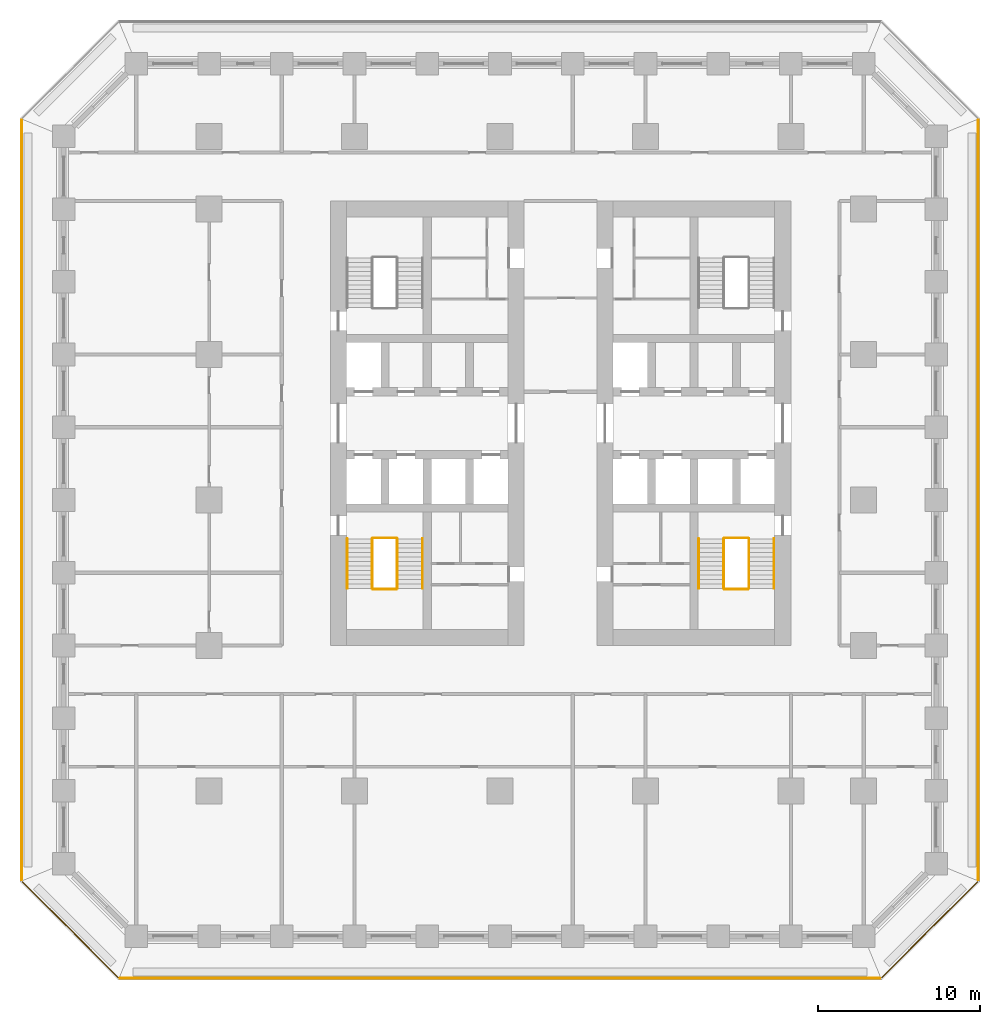
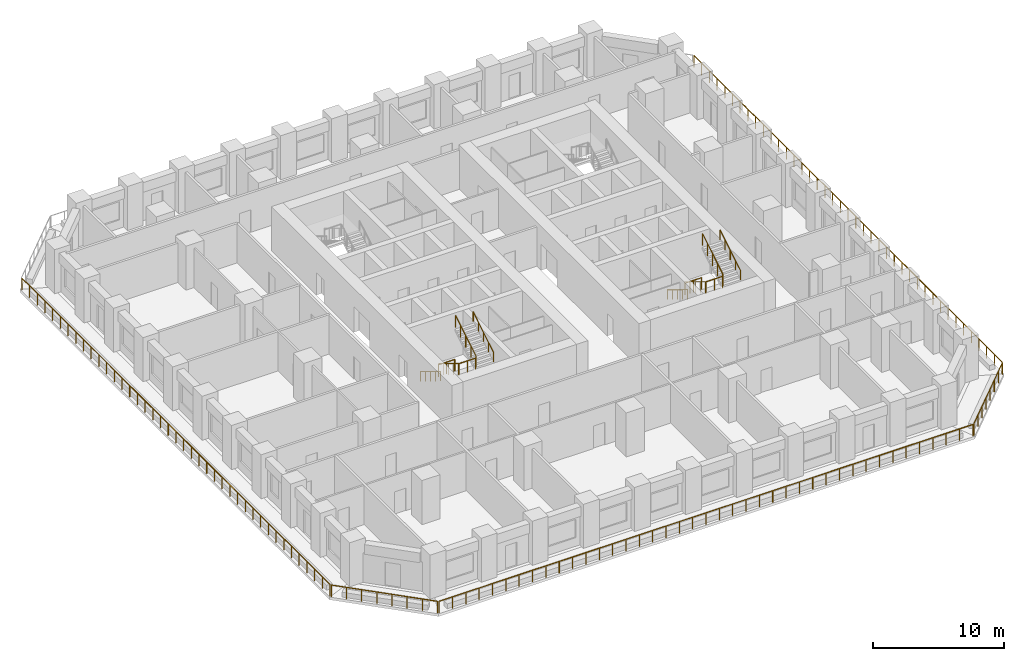
# One storey, part 10 of 12: 17 railings.
"""IFC4 building model written with IfcOpenShell, lengths in metres."""

from ifc_helpers import new_model, si_unit, direction, frame, origin, origin_2d, place, context, subcontext, project, spatial, circle, extrude, material, type_object, element, save


model = new_model("IFC4")

# Units and contexts
model_context = context("Model", 3, precision=1e-05, world=origin(), true_north=direction((0.0, 1.0)))
body_context = subcontext(model_context, "Body", "Model", "MODEL_VIEW")
ifc_project = project(units=[si_unit("LENGTHUNIT", "METRE"), si_unit("AREAUNIT", "SQUARE_METRE"), si_unit("VOLUMEUNIT", "CUBIC_METRE"), si_unit("PLANEANGLEUNIT", "RADIAN"), si_unit("MASSUNIT", "GRAM", prefix="KILO")], contexts=[model_context])

# Site, building, storey
site_placement = place(None, origin())
site = spatial("IfcSite", under=ifc_project, at=site_placement, CompositionType="ELEMENT")
building_placement = place(site_placement, origin())
building = spatial("IfcBuilding", under=site, at=building_placement, Name="Corbel Stack Research Tower", CompositionType="ELEMENT")
storey_placement = place(building_placement, frame((0.0, 0.0, 27.699951171875)))
storey = spatial("IfcBuildingStorey", under=building, at=storey_placement, Name="L06", CompositionType="ELEMENT", Elevation=27.699951171875)

# Railings
ifc_material_1 = material(Name="Steel S355", Category="steel")
railing_type_1 = type_object("IfcRailingType", Name="Stair guard 1100", PredefinedType="GUARDRAIL", material=ifc_material_1)
railing_1_placement = place(storey_placement, frame((-7.89990234375, -2.39990234375, 0.1708984375)))
element("IfcRailing", 1, at=railing_1_placement, inside=storey, type_object=railing_type_1, Name="L06 ST-W1 stair guard 1", PredefinedType="GUARDRAIL", context=body_context, shape_type="SweptSolid", body=[
    extrude(circle(Radius=0.02392578125, at=origin_2d()), frame((0.0, 0.0, 1.076171875), z_axis=(0.0, -0.853666305674, 0.52082035152), x_axis=(1.0, 0.0, 0.0)), (0.0, 0.0, 1.0), 3.608154296875),
    extrude(circle(Radius=0.02099609375, at=origin_2d()), origin(), (0.0, 0.0, 1.0), 1.052001953125),
    extrude(circle(Radius=0.02099609375, at=origin_2d()), frame((0.0, -0.77001953125, 0.4697265625)), (0.0, 0.0, 1.0), 1.052001953125),
    extrude(circle(Radius=0.02099609375, at=origin_2d()), frame((0.0, -1.5400390625, 0.939453125)), (0.0, 0.0, 1.0), 1.052001953125),
    extrude(circle(Radius=0.02099609375, at=origin_2d()), frame((0.0, -2.31005859375, 1.409423828125)), (0.0, 0.0, 1.0), 1.052001953125),
    extrude(circle(Radius=0.02099609375, at=origin_2d()), frame((0.0, -3.080078125, 1.879150390625)), (0.0, 0.0, 1.0), 1.052001953125),
])
railing_2_placement = place(storey_placement, frame((-7.85009765625, -5.530029296875, 2.050048828125)))
element("IfcRailing", 2, at=railing_2_placement, inside=storey, type_object=railing_type_1, Name="L06 ST-W1 stair guard 2", PredefinedType="GUARDRAIL", context=body_context, shape_type="SweptSolid", body=[
    extrude(circle(Radius=0.02392578125, at=origin_2d()), frame((0.0, 0.0, 1.076171875), z_axis=(1.0, 0.0, 0.0), x_axis=(0.0, 1.0, 0.0)), (0.0, 0.0, 1.0), 1.4501953125),
    extrude(circle(Radius=0.02099609375, at=origin_2d()), origin(), (0.0, 0.0, 1.0), 1.052001953125),
    extrude(circle(Radius=0.02099609375, at=origin_2d()), frame((0.72509765625, 0.0, 0.0)), (0.0, 0.0, 1.0), 1.052001953125),
    extrude(circle(Radius=0.02099609375, at=origin_2d()), frame((1.4501953125, 0.0, 0.0)), (0.0, 0.0, 1.0), 1.052001953125),
])
railing_3_placement = place(storey_placement, frame((-6.35009765625, -5.47998046875, 2.220947265625)))
element("IfcRailing", 3, at=railing_3_placement, inside=storey, type_object=railing_type_1, Name="L06 ST-W1 stair guard 3", PredefinedType="GUARDRAIL", context=body_context, shape_type="SweptSolid", body=[
    extrude(circle(Radius=0.02392578125, at=origin_2d()), frame((0.0, 0.0, 1.076171875), z_axis=(0.0, 0.853666305674, 0.52082035152), x_axis=(-1.0, 0.0, 0.0)), (0.0, 0.0, 1.0), 3.608154296875),
    extrude(circle(Radius=0.02099609375, at=origin_2d()), origin(), (0.0, 0.0, 1.0), 1.052001953125),
    extrude(circle(Radius=0.02099609375, at=origin_2d()), frame((0.0, 0.77001953125, 0.4697265625)), (0.0, 0.0, 1.0), 1.052001953125),
    extrude(circle(Radius=0.02099609375, at=origin_2d()), frame((0.0, 1.5400390625, 0.939453125)), (0.0, 0.0, 1.0), 1.052001953125),
    extrude(circle(Radius=0.02099609375, at=origin_2d()), frame((0.0, 2.31005859375, 1.409423828125)), (0.0, 0.0, 1.0), 1.052001953125),
    extrude(circle(Radius=0.02099609375, at=origin_2d()), frame((0.0, 3.080078125, 1.879150390625)), (0.0, 0.0, 1.0), 1.052001953125),
])
railing_4_placement = place(storey_placement, frame((-7.85009765625, -2.35009765625, 0.0)))
element("IfcRailing", 4, at=railing_4_placement, inside=storey, type_object=railing_type_1, Name="L06 ST-W1 stair guard 4", PredefinedType="GUARDRAIL", context=body_context, shape_type="SweptSolid", body=[
    extrude(circle(Radius=0.02392578125, at=origin_2d()), frame((0.0, 0.0, 1.076171875), z_axis=(1.0, 0.0, 0.0), x_axis=(0.0, 1.0, 0.0)), (0.0, 0.0, 1.0), 1.4501953125),
    extrude(circle(Radius=0.02099609375, at=origin_2d()), origin(), (0.0, 0.0, 1.0), 1.052001953125),
    extrude(circle(Radius=0.02099609375, at=origin_2d()), frame((0.72509765625, 0.0, 0.0)), (0.0, 0.0, 1.0), 1.052001953125),
    extrude(circle(Radius=0.02099609375, at=origin_2d()), frame((1.4501953125, 0.0, 0.0)), (0.0, 0.0, 1.0), 1.052001953125),
])
railing_5_placement = place(storey_placement, frame((13.85009765625, -2.39990234375, 0.1708984375)))
element("IfcRailing", 5, at=railing_5_placement, inside=storey, type_object=railing_type_1, Name="L06 ST-E1 stair guard 1", PredefinedType="GUARDRAIL", context=body_context, shape_type="SweptSolid", body=[
    extrude(circle(Radius=0.02392578125, at=origin_2d()), frame((0.0, 0.0, 1.076171875), z_axis=(0.0, -0.853666305674, 0.52082035152), x_axis=(1.0, 0.0, 0.0)), (0.0, 0.0, 1.0), 3.608154296875),
    extrude(circle(Radius=0.02099609375, at=origin_2d()), origin(), (0.0, 0.0, 1.0), 1.052001953125),
    extrude(circle(Radius=0.02099609375, at=origin_2d()), frame((0.0, -0.77001953125, 0.4697265625)), (0.0, 0.0, 1.0), 1.052001953125),
    extrude(circle(Radius=0.02099609375, at=origin_2d()), frame((0.0, -1.5400390625, 0.939453125)), (0.0, 0.0, 1.0), 1.052001953125),
    extrude(circle(Radius=0.02099609375, at=origin_2d()), frame((0.0, -2.31005859375, 1.409423828125)), (0.0, 0.0, 1.0), 1.052001953125),
    extrude(circle(Radius=0.02099609375, at=origin_2d()), frame((0.0, -3.080078125, 1.879150390625)), (0.0, 0.0, 1.0), 1.052001953125),
])
railing_6_placement = place(storey_placement, frame((13.89990234375, -5.530029296875, 2.050048828125)))
element("IfcRailing", 6, at=railing_6_placement, inside=storey, type_object=railing_type_1, Name="L06 ST-E1 stair guard 2", PredefinedType="GUARDRAIL", context=body_context, shape_type="SweptSolid", body=[
    extrude(circle(Radius=0.02392578125, at=origin_2d()), frame((0.0, 0.0, 1.076171875), z_axis=(1.0, 0.0, 0.0), x_axis=(0.0, 1.0, 0.0)), (0.0, 0.0, 1.0), 1.4501953125),
    extrude(circle(Radius=0.02099609375, at=origin_2d()), origin(), (0.0, 0.0, 1.0), 1.052001953125),
    extrude(circle(Radius=0.02099609375, at=origin_2d()), frame((0.72509765625, 0.0, 0.0)), (0.0, 0.0, 1.0), 1.052001953125),
    extrude(circle(Radius=0.02099609375, at=origin_2d()), frame((1.4501953125, 0.0, 0.0)), (0.0, 0.0, 1.0), 1.052001953125),
])
railing_7_placement = place(storey_placement, frame((15.39990234375, -5.47998046875, 2.220947265625)))
element("IfcRailing", 7, at=railing_7_placement, inside=storey, type_object=railing_type_1, Name="L06 ST-E1 stair guard 3", PredefinedType="GUARDRAIL", context=body_context, shape_type="SweptSolid", body=[
    extrude(circle(Radius=0.02392578125, at=origin_2d()), frame((0.0, 0.0, 1.076171875), z_axis=(0.0, 0.853666305674, 0.52082035152), x_axis=(-1.0, 0.0, 0.0)), (0.0, 0.0, 1.0), 3.608154296875),
    extrude(circle(Radius=0.02099609375, at=origin_2d()), origin(), (0.0, 0.0, 1.0), 1.052001953125),
    extrude(circle(Radius=0.02099609375, at=origin_2d()), frame((0.0, 0.77001953125, 0.4697265625)), (0.0, 0.0, 1.0), 1.052001953125),
    extrude(circle(Radius=0.02099609375, at=origin_2d()), frame((0.0, 1.5400390625, 0.939453125)), (0.0, 0.0, 1.0), 1.052001953125),
    extrude(circle(Radius=0.02099609375, at=origin_2d()), frame((0.0, 2.31005859375, 1.409423828125)), (0.0, 0.0, 1.0), 1.052001953125),
    extrude(circle(Radius=0.02099609375, at=origin_2d()), frame((0.0, 3.080078125, 1.879150390625)), (0.0, 0.0, 1.0), 1.052001953125),
])
railing_8_placement = place(storey_placement, frame((13.89990234375, -2.35009765625, 0.0)))
element("IfcRailing", 8, at=railing_8_placement, inside=storey, type_object=railing_type_1, Name="L06 ST-E1 stair guard 4", PredefinedType="GUARDRAIL", context=body_context, shape_type="SweptSolid", body=[
    extrude(circle(Radius=0.02392578125, at=origin_2d()), frame((0.0, 0.0, 1.076171875), z_axis=(1.0, 0.0, 0.0), x_axis=(0.0, 1.0, 0.0)), (0.0, 0.0, 1.0), 1.4501953125),
    extrude(circle(Radius=0.02099609375, at=origin_2d()), origin(), (0.0, 0.0, 1.0), 1.052001953125),
    extrude(circle(Radius=0.02099609375, at=origin_2d()), frame((0.72509765625, 0.0, 0.0)), (0.0, 0.0, 1.0), 1.052001953125),
    extrude(circle(Radius=0.02099609375, at=origin_2d()), frame((1.4501953125, 0.0, 0.0)), (0.0, 0.0, 1.0), 1.052001953125),
])
ifc_material_2 = material(Name="Steel S355", Category="steel")
railing_type_2 = type_object("IfcRailingType", Name="Stair handrail 900", PredefinedType="HANDRAIL", material=ifc_material_2)
railing_9_placement = place(storey_placement, frame((-9.449951171875, -2.39990234375, 0.1708984375)))
element("IfcRailing", 9, at=railing_9_placement, inside=storey, type_object=railing_type_2, Name="L06 ST-W1 stair handrail 1", PredefinedType="HANDRAIL", context=body_context, shape_type="SweptSolid", body=[
    extrude(circle(Radius=0.02392578125, at=origin_2d()), frame((0.0, 0.0, 0.8759765625), z_axis=(0.0, -0.853666305674, 0.52082035152), x_axis=(1.0, 0.0, 0.0)), (0.0, 0.0, 1.0), 3.608154296875),
    extrude(circle(Radius=0.02099609375, at=origin_2d()), origin(), (0.0, 0.0, 1.0), 0.851806640625),
    extrude(circle(Radius=0.02099609375, at=origin_2d()), frame((0.0, -0.77001953125, 0.4697265625)), (0.0, 0.0, 1.0), 0.851806640625),
    extrude(circle(Radius=0.02099609375, at=origin_2d()), frame((0.0, -1.5400390625, 0.939453125)), (0.0, 0.0, 1.0), 0.851806640625),
    extrude(circle(Radius=0.02099609375, at=origin_2d()), frame((0.0, -2.31005859375, 1.409423828125)), (0.0, 0.0, 1.0), 0.851806640625),
    extrude(circle(Radius=0.02099609375, at=origin_2d()), frame((0.0, -3.080078125, 1.879150390625)), (0.0, 0.0, 1.0), 0.851806640625),
])
railing_10_placement = place(storey_placement, frame((-4.800048828125, -5.47998046875, 2.220947265625)))
element("IfcRailing", 10, at=railing_10_placement, inside=storey, type_object=railing_type_2, Name="L06 ST-W1 stair handrail 2", PredefinedType="HANDRAIL", context=body_context, shape_type="SweptSolid", body=[
    extrude(circle(Radius=0.02392578125, at=origin_2d()), frame((0.0, 0.0, 0.8759765625), z_axis=(0.0, 0.853666305674, 0.52082035152), x_axis=(-1.0, 0.0, 0.0)), (0.0, 0.0, 1.0), 3.608154296875),
    extrude(circle(Radius=0.02099609375, at=origin_2d()), origin(), (0.0, 0.0, 1.0), 0.851806640625),
    extrude(circle(Radius=0.02099609375, at=origin_2d()), frame((0.0, 0.77001953125, 0.4697265625)), (0.0, 0.0, 1.0), 0.851806640625),
    extrude(circle(Radius=0.02099609375, at=origin_2d()), frame((0.0, 1.5400390625, 0.939453125)), (0.0, 0.0, 1.0), 0.851806640625),
    extrude(circle(Radius=0.02099609375, at=origin_2d()), frame((0.0, 2.31005859375, 1.409423828125)), (0.0, 0.0, 1.0), 0.851806640625),
    extrude(circle(Radius=0.02099609375, at=origin_2d()), frame((0.0, 3.080078125, 1.879150390625)), (0.0, 0.0, 1.0), 0.851806640625),
])
railing_11_placement = place(storey_placement, frame((12.300048828125, -2.39990234375, 0.1708984375)))
element("IfcRailing", 11, at=railing_11_placement, inside=storey, type_object=railing_type_2, Name="L06 ST-E1 stair handrail 1", PredefinedType="HANDRAIL", context=body_context, shape_type="SweptSolid", body=[
    extrude(circle(Radius=0.02392578125, at=origin_2d()), frame((0.0, 0.0, 0.8759765625), z_axis=(0.0, -0.853666305674, 0.52082035152), x_axis=(1.0, 0.0, 0.0)), (0.0, 0.0, 1.0), 3.608154296875),
    extrude(circle(Radius=0.02099609375, at=origin_2d()), origin(), (0.0, 0.0, 1.0), 0.851806640625),
    extrude(circle(Radius=0.02099609375, at=origin_2d()), frame((0.0, -0.77001953125, 0.4697265625)), (0.0, 0.0, 1.0), 0.851806640625),
    extrude(circle(Radius=0.02099609375, at=origin_2d()), frame((0.0, -1.5400390625, 0.939453125)), (0.0, 0.0, 1.0), 0.851806640625),
    extrude(circle(Radius=0.02099609375, at=origin_2d()), frame((0.0, -2.31005859375, 1.409423828125)), (0.0, 0.0, 1.0), 0.851806640625),
    extrude(circle(Radius=0.02099609375, at=origin_2d()), frame((0.0, -3.080078125, 1.879150390625)), (0.0, 0.0, 1.0), 0.851806640625),
])
railing_12_placement = place(storey_placement, frame((16.949951171875, -5.47998046875, 2.220947265625)))
element("IfcRailing", 12, at=railing_12_placement, inside=storey, type_object=railing_type_2, Name="L06 ST-E1 stair handrail 2", PredefinedType="HANDRAIL", context=body_context, shape_type="SweptSolid", body=[
    extrude(circle(Radius=0.02392578125, at=origin_2d()), frame((0.0, 0.0, 0.8759765625), z_axis=(0.0, 0.853666305674, 0.52082035152), x_axis=(-1.0, 0.0, 0.0)), (0.0, 0.0, 1.0), 3.608154296875),
    extrude(circle(Radius=0.02099609375, at=origin_2d()), origin(), (0.0, 0.0, 1.0), 0.851806640625),
    extrude(circle(Radius=0.02099609375, at=origin_2d()), frame((0.0, 0.77001953125, 0.4697265625)), (0.0, 0.0, 1.0), 0.851806640625),
    extrude(circle(Radius=0.02099609375, at=origin_2d()), frame((0.0, 1.5400390625, 0.939453125)), (0.0, 0.0, 1.0), 0.851806640625),
    extrude(circle(Radius=0.02099609375, at=origin_2d()), frame((0.0, 2.31005859375, 1.409423828125)), (0.0, 0.0, 1.0), 0.851806640625),
    extrude(circle(Radius=0.02099609375, at=origin_2d()), frame((0.0, 3.080078125, 1.879150390625)), (0.0, 0.0, 1.0), 0.851806640625),
])
ifc_material_3 = material(Name="Powder-coated steel guard", Category="steel")
railing_type_3 = type_object("IfcRailingType", Name="Steel and glass guard 1100", PredefinedType="GUARDRAIL", material=ifc_material_3)
railing_13_placement = place(storey_placement, frame((-23.50537109375, -29.60009765625, 0.0)))
element("IfcRailing", 13, at=railing_13_placement, inside=storey, type_object=railing_type_3, Name="Loggia guard L06 S", PredefinedType="GUARDRAIL", context=body_context, shape_type="SweptSolid", body=[
    extrude(circle(Radius=0.02392578125, at=origin_2d()), frame((0.0, 0.0, 1.076171875), z_axis=(1.0, 0.0, 0.0), x_axis=(0.0, 1.0, 0.0)), (0.0, 0.0, 1.0), 47.0107421875),
    extrude(circle(Radius=0.02099609375, at=origin_2d()), origin(), (0.0, 0.0, 1.0), 1.052001953125),
    extrude(circle(Radius=0.02099609375, at=origin_2d()), frame((1.17529296875, 0.0, 0.0)), (0.0, 0.0, 1.0), 1.052001953125),
    extrude(circle(Radius=0.02099609375, at=origin_2d()), frame((2.3505859375, 0.0, 0.0)), (0.0, 0.0, 1.0), 1.052001953125),
    extrude(circle(Radius=0.02099609375, at=origin_2d()), frame((3.52587890625, 0.0, 0.0)), (0.0, 0.0, 1.0), 1.052001953125),
    extrude(circle(Radius=0.02099609375, at=origin_2d()), frame((4.701171875, 0.0, 0.0)), (0.0, 0.0, 1.0), 1.052001953125),
    extrude(circle(Radius=0.02099609375, at=origin_2d()), frame((5.87646484375, 0.0, 0.0)), (0.0, 0.0, 1.0), 1.052001953125),
    extrude(circle(Radius=0.02099609375, at=origin_2d()), frame((7.051513671875, 0.0, 0.0)), (0.0, 0.0, 1.0), 1.052001953125),
    extrude(circle(Radius=0.02099609375, at=origin_2d()), frame((8.226806640625, 0.0, 0.0)), (0.0, 0.0, 1.0), 1.052001953125),
    extrude(circle(Radius=0.02099609375, at=origin_2d()), frame((9.402099609375, 0.0, 0.0)), (0.0, 0.0, 1.0), 1.052001953125),
    extrude(circle(Radius=0.02099609375, at=origin_2d()), frame((10.577392578125, 0.0, 0.0)), (0.0, 0.0, 1.0), 1.052001953125),
    extrude(circle(Radius=0.02099609375, at=origin_2d()), frame((11.752685546875, 0.0, 0.0)), (0.0, 0.0, 1.0), 1.052001953125),
    extrude(circle(Radius=0.02099609375, at=origin_2d()), frame((12.927978515625, 0.0, 0.0)), (0.0, 0.0, 1.0), 1.052001953125),
    extrude(circle(Radius=0.02099609375, at=origin_2d()), frame((14.103271484375, 0.0, 0.0)), (0.0, 0.0, 1.0), 1.052001953125),
    extrude(circle(Radius=0.02099609375, at=origin_2d()), frame((15.278564453125, 0.0, 0.0)), (0.0, 0.0, 1.0), 1.052001953125),
    extrude(circle(Radius=0.02099609375, at=origin_2d()), frame((16.453857421875, 0.0, 0.0)), (0.0, 0.0, 1.0), 1.052001953125),
    extrude(circle(Radius=0.02099609375, at=origin_2d()), frame((17.62890625, 0.0, 0.0)), (0.0, 0.0, 1.0), 1.052001953125),
    extrude(circle(Radius=0.02099609375, at=origin_2d()), frame((18.80419921875, 0.0, 0.0)), (0.0, 0.0, 1.0), 1.052001953125),
    extrude(circle(Radius=0.02099609375, at=origin_2d()), frame((19.9794921875, 0.0, 0.0)), (0.0, 0.0, 1.0), 1.052001953125),
    extrude(circle(Radius=0.02099609375, at=origin_2d()), frame((21.15478515625, 0.0, 0.0)), (0.0, 0.0, 1.0), 1.052001953125),
    extrude(circle(Radius=0.02099609375, at=origin_2d()), frame((22.330078125, 0.0, 0.0)), (0.0, 0.0, 1.0), 1.052001953125),
    extrude(circle(Radius=0.02099609375, at=origin_2d()), frame((23.50537109375, 0.0, 0.0)), (0.0, 0.0, 1.0), 1.052001953125),
    extrude(circle(Radius=0.02099609375, at=origin_2d()), frame((24.6806640625, 0.0, 0.0)), (0.0, 0.0, 1.0), 1.052001953125),
    extrude(circle(Radius=0.02099609375, at=origin_2d()), frame((25.85595703125, 0.0, 0.0)), (0.0, 0.0, 1.0), 1.052001953125),
    extrude(circle(Radius=0.02099609375, at=origin_2d()), frame((27.03125, 0.0, 0.0)), (0.0, 0.0, 1.0), 1.052001953125),
    extrude(circle(Radius=0.02099609375, at=origin_2d()), frame((28.20654296875, 0.0, 0.0)), (0.0, 0.0, 1.0), 1.052001953125),
    extrude(circle(Radius=0.02099609375, at=origin_2d()), frame((29.3818359375, 0.0, 0.0)), (0.0, 0.0, 1.0), 1.052001953125),
    extrude(circle(Radius=0.02099609375, at=origin_2d()), frame((30.556884765625, 0.0, 0.0)), (0.0, 0.0, 1.0), 1.052001953125),
    extrude(circle(Radius=0.02099609375, at=origin_2d()), frame((31.732177734375, 0.0, 0.0)), (0.0, 0.0, 1.0), 1.052001953125),
    extrude(circle(Radius=0.02099609375, at=origin_2d()), frame((32.907470703125, 0.0, 0.0)), (0.0, 0.0, 1.0), 1.052001953125),
    extrude(circle(Radius=0.02099609375, at=origin_2d()), frame((34.082763671875, 0.0, 0.0)), (0.0, 0.0, 1.0), 1.052001953125),
    extrude(circle(Radius=0.02099609375, at=origin_2d()), frame((35.258056640625, 0.0, 0.0)), (0.0, 0.0, 1.0), 1.052001953125),
    extrude(circle(Radius=0.02099609375, at=origin_2d()), frame((36.433349609375, 0.0, 0.0)), (0.0, 0.0, 1.0), 1.052001953125),
    extrude(circle(Radius=0.02099609375, at=origin_2d()), frame((37.608642578125, 0.0, 0.0)), (0.0, 0.0, 1.0), 1.052001953125),
    extrude(circle(Radius=0.02099609375, at=origin_2d()), frame((38.783935546875, 0.0, 0.0)), (0.0, 0.0, 1.0), 1.052001953125),
    extrude(circle(Radius=0.02099609375, at=origin_2d()), frame((39.959228515625, 0.0, 0.0)), (0.0, 0.0, 1.0), 1.052001953125),
    extrude(circle(Radius=0.02099609375, at=origin_2d()), frame((41.13427734375, 0.0, 0.0)), (0.0, 0.0, 1.0), 1.052001953125),
    extrude(circle(Radius=0.02099609375, at=origin_2d()), frame((42.3095703125, 0.0, 0.0)), (0.0, 0.0, 1.0), 1.052001953125),
    extrude(circle(Radius=0.02099609375, at=origin_2d()), frame((43.48486328125, 0.0, 0.0)), (0.0, 0.0, 1.0), 1.052001953125),
    extrude(circle(Radius=0.02099609375, at=origin_2d()), frame((44.66015625, 0.0, 0.0)), (0.0, 0.0, 1.0), 1.052001953125),
    extrude(circle(Radius=0.02099609375, at=origin_2d()), frame((45.83544921875, 0.0, 0.0)), (0.0, 0.0, 1.0), 1.052001953125),
    extrude(circle(Radius=0.02099609375, at=origin_2d()), frame((47.0107421875, 0.0, 0.0)), (0.0, 0.0, 1.0), 1.052001953125),
])
railing_14_placement = place(storey_placement, frame((23.627685546875, -29.54931640625, 0.0)))
element("IfcRailing", 14, at=railing_14_placement, inside=storey, type_object=railing_type_3, Name="Loggia guard L06 SE", PredefinedType="GUARDRAIL", context=body_context, shape_type="SweptSolid", body=[
    extrude(circle(Radius=0.02392578125, at=origin_2d()), frame((0.0, 0.0, 1.076171875), z_axis=(0.707106781187, 0.707106781187, 0.0), x_axis=(-0.707106781187, 0.707106781187, 0.0)), (0.0, 0.0, 1.0), 8.37451171875),
    extrude(circle(Radius=0.02099609375, at=origin_2d()), origin(), (0.0, 0.0, 1.0), 1.052001953125),
    extrude(circle(Radius=0.02099609375, at=origin_2d()), frame((0.845947265625, 0.845947265625, 0.0)), (0.0, 0.0, 1.0), 1.052001953125),
    extrude(circle(Radius=0.02099609375, at=origin_2d()), frame((1.69189453125, 1.69189453125, 0.0)), (0.0, 0.0, 1.0), 1.052001953125),
    extrude(circle(Radius=0.02099609375, at=origin_2d()), frame((2.537841796875, 2.537841796875, 0.0)), (0.0, 0.0, 1.0), 1.052001953125),
    extrude(circle(Radius=0.02099609375, at=origin_2d()), frame((3.3837890625, 3.3837890625, 0.0)), (0.0, 0.0, 1.0), 1.052001953125),
    extrude(circle(Radius=0.02099609375, at=origin_2d()), frame((4.229736328125, 4.229736328125, 0.0)), (0.0, 0.0, 1.0), 1.052001953125),
    extrude(circle(Radius=0.02099609375, at=origin_2d()), frame((5.07568359375, 5.07568359375, 0.0)), (0.0, 0.0, 1.0), 1.052001953125),
    extrude(circle(Radius=0.02099609375, at=origin_2d()), frame((5.921630859375, 5.921630859375, 0.0)), (0.0, 0.0, 1.0), 1.052001953125),
])
railing_15_placement = place(storey_placement, frame((29.60009765625, -23.50537109375, 0.0)))
element("IfcRailing", 15, at=railing_15_placement, inside=storey, type_object=railing_type_3, Name="Loggia guard L06 E", PredefinedType="GUARDRAIL", context=body_context, shape_type="SweptSolid", body=[
    extrude(circle(Radius=0.02392578125, at=origin_2d()), frame((0.0, 0.0, 1.076171875), z_axis=(0.0, 1.0, 0.0), x_axis=(-1.0, 0.0, 0.0)), (0.0, 0.0, 1.0), 47.0107421875),
    extrude(circle(Radius=0.02099609375, at=origin_2d()), origin(), (0.0, 0.0, 1.0), 1.052001953125),
    extrude(circle(Radius=0.02099609375, at=origin_2d()), frame((0.0, 1.17529296875, 0.0)), (0.0, 0.0, 1.0), 1.052001953125),
    extrude(circle(Radius=0.02099609375, at=origin_2d()), frame((0.0, 2.3505859375, 0.0)), (0.0, 0.0, 1.0), 1.052001953125),
    extrude(circle(Radius=0.02099609375, at=origin_2d()), frame((0.0, 3.52587890625, 0.0)), (0.0, 0.0, 1.0), 1.052001953125),
    extrude(circle(Radius=0.02099609375, at=origin_2d()), frame((0.0, 4.701171875, 0.0)), (0.0, 0.0, 1.0), 1.052001953125),
    extrude(circle(Radius=0.02099609375, at=origin_2d()), frame((0.0, 5.87646484375, 0.0)), (0.0, 0.0, 1.0), 1.052001953125),
    extrude(circle(Radius=0.02099609375, at=origin_2d()), frame((0.0, 7.051513671875, 0.0)), (0.0, 0.0, 1.0), 1.052001953125),
    extrude(circle(Radius=0.02099609375, at=origin_2d()), frame((0.0, 8.226806640625, 0.0)), (0.0, 0.0, 1.0), 1.052001953125),
    extrude(circle(Radius=0.02099609375, at=origin_2d()), frame((0.0, 9.402099609375, 0.0)), (0.0, 0.0, 1.0), 1.052001953125),
    extrude(circle(Radius=0.02099609375, at=origin_2d()), frame((0.0, 10.577392578125, 0.0)), (0.0, 0.0, 1.0), 1.052001953125),
    extrude(circle(Radius=0.02099609375, at=origin_2d()), frame((0.0, 11.752685546875, 0.0)), (0.0, 0.0, 1.0), 1.052001953125),
    extrude(circle(Radius=0.02099609375, at=origin_2d()), frame((0.0, 12.927978515625, 0.0)), (0.0, 0.0, 1.0), 1.052001953125),
    extrude(circle(Radius=0.02099609375, at=origin_2d()), frame((0.0, 14.103271484375, 0.0)), (0.0, 0.0, 1.0), 1.052001953125),
    extrude(circle(Radius=0.02099609375, at=origin_2d()), frame((0.0, 15.278564453125, 0.0)), (0.0, 0.0, 1.0), 1.052001953125),
    extrude(circle(Radius=0.02099609375, at=origin_2d()), frame((0.0, 16.453857421875, 0.0)), (0.0, 0.0, 1.0), 1.052001953125),
    extrude(circle(Radius=0.02099609375, at=origin_2d()), frame((0.0, 17.62890625, 0.0)), (0.0, 0.0, 1.0), 1.052001953125),
    extrude(circle(Radius=0.02099609375, at=origin_2d()), frame((0.0, 18.80419921875, 0.0)), (0.0, 0.0, 1.0), 1.052001953125),
    extrude(circle(Radius=0.02099609375, at=origin_2d()), frame((0.0, 19.9794921875, 0.0)), (0.0, 0.0, 1.0), 1.052001953125),
    extrude(circle(Radius=0.02099609375, at=origin_2d()), frame((0.0, 21.15478515625, 0.0)), (0.0, 0.0, 1.0), 1.052001953125),
    extrude(circle(Radius=0.02099609375, at=origin_2d()), frame((0.0, 22.330078125, 0.0)), (0.0, 0.0, 1.0), 1.052001953125),
    extrude(circle(Radius=0.02099609375, at=origin_2d()), frame((0.0, 23.50537109375, 0.0)), (0.0, 0.0, 1.0), 1.052001953125),
    extrude(circle(Radius=0.02099609375, at=origin_2d()), frame((0.0, 24.6806640625, 0.0)), (0.0, 0.0, 1.0), 1.052001953125),
    extrude(circle(Radius=0.02099609375, at=origin_2d()), frame((0.0, 25.85595703125, 0.0)), (0.0, 0.0, 1.0), 1.052001953125),
    extrude(circle(Radius=0.02099609375, at=origin_2d()), frame((0.0, 27.03125, 0.0)), (0.0, 0.0, 1.0), 1.052001953125),
    extrude(circle(Radius=0.02099609375, at=origin_2d()), frame((0.0, 28.20654296875, 0.0)), (0.0, 0.0, 1.0), 1.052001953125),
    extrude(circle(Radius=0.02099609375, at=origin_2d()), frame((0.0, 29.3818359375, 0.0)), (0.0, 0.0, 1.0), 1.052001953125),
    extrude(circle(Radius=0.02099609375, at=origin_2d()), frame((0.0, 30.556884765625, 0.0)), (0.0, 0.0, 1.0), 1.052001953125),
    extrude(circle(Radius=0.02099609375, at=origin_2d()), frame((0.0, 31.732177734375, 0.0)), (0.0, 0.0, 1.0), 1.052001953125),
    extrude(circle(Radius=0.02099609375, at=origin_2d()), frame((0.0, 32.907470703125, 0.0)), (0.0, 0.0, 1.0), 1.052001953125),
    extrude(circle(Radius=0.02099609375, at=origin_2d()), frame((0.0, 34.082763671875, 0.0)), (0.0, 0.0, 1.0), 1.052001953125),
    extrude(circle(Radius=0.02099609375, at=origin_2d()), frame((0.0, 35.258056640625, 0.0)), (0.0, 0.0, 1.0), 1.052001953125),
    extrude(circle(Radius=0.02099609375, at=origin_2d()), frame((0.0, 36.433349609375, 0.0)), (0.0, 0.0, 1.0), 1.052001953125),
    extrude(circle(Radius=0.02099609375, at=origin_2d()), frame((0.0, 37.608642578125, 0.0)), (0.0, 0.0, 1.0), 1.052001953125),
    extrude(circle(Radius=0.02099609375, at=origin_2d()), frame((0.0, 38.783935546875, 0.0)), (0.0, 0.0, 1.0), 1.052001953125),
    extrude(circle(Radius=0.02099609375, at=origin_2d()), frame((0.0, 39.959228515625, 0.0)), (0.0, 0.0, 1.0), 1.052001953125),
    extrude(circle(Radius=0.02099609375, at=origin_2d()), frame((0.0, 41.13427734375, 0.0)), (0.0, 0.0, 1.0), 1.052001953125),
    extrude(circle(Radius=0.02099609375, at=origin_2d()), frame((0.0, 42.3095703125, 0.0)), (0.0, 0.0, 1.0), 1.052001953125),
    extrude(circle(Radius=0.02099609375, at=origin_2d()), frame((0.0, 43.48486328125, 0.0)), (0.0, 0.0, 1.0), 1.052001953125),
    extrude(circle(Radius=0.02099609375, at=origin_2d()), frame((0.0, 44.66015625, 0.0)), (0.0, 0.0, 1.0), 1.052001953125),
    extrude(circle(Radius=0.02099609375, at=origin_2d()), frame((0.0, 45.83544921875, 0.0)), (0.0, 0.0, 1.0), 1.052001953125),
    extrude(circle(Radius=0.02099609375, at=origin_2d()), frame((0.0, 47.0107421875, 0.0)), (0.0, 0.0, 1.0), 1.052001953125),
])
railing_16_placement = place(storey_placement, frame((-29.60009765625, 23.50537109375, 0.0)))
element("IfcRailing", 16, at=railing_16_placement, inside=storey, type_object=railing_type_3, Name="Loggia guard L06 W", PredefinedType="GUARDRAIL", context=body_context, shape_type="SweptSolid", body=[
    extrude(circle(Radius=0.02392578125, at=origin_2d()), frame((0.0, 0.0, 1.076171875), z_axis=(0.0, -1.0, 0.0), x_axis=(1.0, 0.0, 0.0)), (0.0, 0.0, 1.0), 47.0107421875),
    extrude(circle(Radius=0.02099609375, at=origin_2d()), origin(), (0.0, 0.0, 1.0), 1.052001953125),
    extrude(circle(Radius=0.02099609375, at=origin_2d()), frame((0.0, -1.17529296875, 0.0)), (0.0, 0.0, 1.0), 1.052001953125),
    extrude(circle(Radius=0.02099609375, at=origin_2d()), frame((0.0, -2.3505859375, 0.0)), (0.0, 0.0, 1.0), 1.052001953125),
    extrude(circle(Radius=0.02099609375, at=origin_2d()), frame((0.0, -3.52587890625, 0.0)), (0.0, 0.0, 1.0), 1.052001953125),
    extrude(circle(Radius=0.02099609375, at=origin_2d()), frame((0.0, -4.701171875, 0.0)), (0.0, 0.0, 1.0), 1.052001953125),
    extrude(circle(Radius=0.02099609375, at=origin_2d()), frame((0.0, -5.87646484375, 0.0)), (0.0, 0.0, 1.0), 1.052001953125),
    extrude(circle(Radius=0.02099609375, at=origin_2d()), frame((0.0, -7.051513671875, 0.0)), (0.0, 0.0, 1.0), 1.052001953125),
    extrude(circle(Radius=0.02099609375, at=origin_2d()), frame((0.0, -8.226806640625, 0.0)), (0.0, 0.0, 1.0), 1.052001953125),
    extrude(circle(Radius=0.02099609375, at=origin_2d()), frame((0.0, -9.402099609375, 0.0)), (0.0, 0.0, 1.0), 1.052001953125),
    extrude(circle(Radius=0.02099609375, at=origin_2d()), frame((0.0, -10.577392578125, 0.0)), (0.0, 0.0, 1.0), 1.052001953125),
    extrude(circle(Radius=0.02099609375, at=origin_2d()), frame((0.0, -11.752685546875, 0.0)), (0.0, 0.0, 1.0), 1.052001953125),
    extrude(circle(Radius=0.02099609375, at=origin_2d()), frame((0.0, -12.927978515625, 0.0)), (0.0, 0.0, 1.0), 1.052001953125),
    extrude(circle(Radius=0.02099609375, at=origin_2d()), frame((0.0, -14.103271484375, 0.0)), (0.0, 0.0, 1.0), 1.052001953125),
    extrude(circle(Radius=0.02099609375, at=origin_2d()), frame((0.0, -15.278564453125, 0.0)), (0.0, 0.0, 1.0), 1.052001953125),
    extrude(circle(Radius=0.02099609375, at=origin_2d()), frame((0.0, -16.453857421875, 0.0)), (0.0, 0.0, 1.0), 1.052001953125),
    extrude(circle(Radius=0.02099609375, at=origin_2d()), frame((0.0, -17.62890625, 0.0)), (0.0, 0.0, 1.0), 1.052001953125),
    extrude(circle(Radius=0.02099609375, at=origin_2d()), frame((0.0, -18.80419921875, 0.0)), (0.0, 0.0, 1.0), 1.052001953125),
    extrude(circle(Radius=0.02099609375, at=origin_2d()), frame((0.0, -19.9794921875, 0.0)), (0.0, 0.0, 1.0), 1.052001953125),
    extrude(circle(Radius=0.02099609375, at=origin_2d()), frame((0.0, -21.15478515625, 0.0)), (0.0, 0.0, 1.0), 1.052001953125),
    extrude(circle(Radius=0.02099609375, at=origin_2d()), frame((0.0, -22.330078125, 0.0)), (0.0, 0.0, 1.0), 1.052001953125),
    extrude(circle(Radius=0.02099609375, at=origin_2d()), frame((0.0, -23.50537109375, 0.0)), (0.0, 0.0, 1.0), 1.052001953125),
    extrude(circle(Radius=0.02099609375, at=origin_2d()), frame((0.0, -24.6806640625, 0.0)), (0.0, 0.0, 1.0), 1.052001953125),
    extrude(circle(Radius=0.02099609375, at=origin_2d()), frame((0.0, -25.85595703125, 0.0)), (0.0, 0.0, 1.0), 1.052001953125),
    extrude(circle(Radius=0.02099609375, at=origin_2d()), frame((0.0, -27.03125, 0.0)), (0.0, 0.0, 1.0), 1.052001953125),
    extrude(circle(Radius=0.02099609375, at=origin_2d()), frame((0.0, -28.20654296875, 0.0)), (0.0, 0.0, 1.0), 1.052001953125),
    extrude(circle(Radius=0.02099609375, at=origin_2d()), frame((0.0, -29.3818359375, 0.0)), (0.0, 0.0, 1.0), 1.052001953125),
    extrude(circle(Radius=0.02099609375, at=origin_2d()), frame((0.0, -30.556884765625, 0.0)), (0.0, 0.0, 1.0), 1.052001953125),
    extrude(circle(Radius=0.02099609375, at=origin_2d()), frame((0.0, -31.732177734375, 0.0)), (0.0, 0.0, 1.0), 1.052001953125),
    extrude(circle(Radius=0.02099609375, at=origin_2d()), frame((0.0, -32.907470703125, 0.0)), (0.0, 0.0, 1.0), 1.052001953125),
    extrude(circle(Radius=0.02099609375, at=origin_2d()), frame((0.0, -34.082763671875, 0.0)), (0.0, 0.0, 1.0), 1.052001953125),
    extrude(circle(Radius=0.02099609375, at=origin_2d()), frame((0.0, -35.258056640625, 0.0)), (0.0, 0.0, 1.0), 1.052001953125),
    extrude(circle(Radius=0.02099609375, at=origin_2d()), frame((0.0, -36.433349609375, 0.0)), (0.0, 0.0, 1.0), 1.052001953125),
    extrude(circle(Radius=0.02099609375, at=origin_2d()), frame((0.0, -37.608642578125, 0.0)), (0.0, 0.0, 1.0), 1.052001953125),
    extrude(circle(Radius=0.02099609375, at=origin_2d()), frame((0.0, -38.783935546875, 0.0)), (0.0, 0.0, 1.0), 1.052001953125),
    extrude(circle(Radius=0.02099609375, at=origin_2d()), frame((0.0, -39.959228515625, 0.0)), (0.0, 0.0, 1.0), 1.052001953125),
    extrude(circle(Radius=0.02099609375, at=origin_2d()), frame((0.0, -41.13427734375, 0.0)), (0.0, 0.0, 1.0), 1.052001953125),
    extrude(circle(Radius=0.02099609375, at=origin_2d()), frame((0.0, -42.3095703125, 0.0)), (0.0, 0.0, 1.0), 1.052001953125),
    extrude(circle(Radius=0.02099609375, at=origin_2d()), frame((0.0, -43.48486328125, 0.0)), (0.0, 0.0, 1.0), 1.052001953125),
    extrude(circle(Radius=0.02099609375, at=origin_2d()), frame((0.0, -44.66015625, 0.0)), (0.0, 0.0, 1.0), 1.052001953125),
    extrude(circle(Radius=0.02099609375, at=origin_2d()), frame((0.0, -45.83544921875, 0.0)), (0.0, 0.0, 1.0), 1.052001953125),
    extrude(circle(Radius=0.02099609375, at=origin_2d()), frame((0.0, -47.0107421875, 0.0)), (0.0, 0.0, 1.0), 1.052001953125),
])
railing_17_placement = place(storey_placement, frame((-29.54931640625, -23.627685546875, 0.0)))
element("IfcRailing", 17, at=railing_17_placement, inside=storey, type_object=railing_type_3, Name="Loggia guard L06 SW", PredefinedType="GUARDRAIL", context=body_context, shape_type="SweptSolid", body=[
    extrude(circle(Radius=0.02392578125, at=origin_2d()), frame((0.0, 0.0, 1.076171875), z_axis=(0.707106781187, -0.707106781187, 0.0), x_axis=(0.707106781187, 0.707106781187, 0.0)), (0.0, 0.0, 1.0), 8.37451171875),
    extrude(circle(Radius=0.02099609375, at=origin_2d()), origin(), (0.0, 0.0, 1.0), 1.052001953125),
    extrude(circle(Radius=0.02099609375, at=origin_2d()), frame((0.845947265625, -0.845947265625, 0.0)), (0.0, 0.0, 1.0), 1.052001953125),
    extrude(circle(Radius=0.02099609375, at=origin_2d()), frame((1.69189453125, -1.69189453125, 0.0)), (0.0, 0.0, 1.0), 1.052001953125),
    extrude(circle(Radius=0.02099609375, at=origin_2d()), frame((2.537841796875, -2.537841796875, 0.0)), (0.0, 0.0, 1.0), 1.052001953125),
    extrude(circle(Radius=0.02099609375, at=origin_2d()), frame((3.3837890625, -3.3837890625, 0.0)), (0.0, 0.0, 1.0), 1.052001953125),
    extrude(circle(Radius=0.02099609375, at=origin_2d()), frame((4.229736328125, -4.229736328125, 0.0)), (0.0, 0.0, 1.0), 1.052001953125),
    extrude(circle(Radius=0.02099609375, at=origin_2d()), frame((5.07568359375, -5.07568359375, 0.0)), (0.0, 0.0, 1.0), 1.052001953125),
    extrude(circle(Radius=0.02099609375, at=origin_2d()), frame((5.921630859375, -5.921630859375, 0.0)), (0.0, 0.0, 1.0), 1.052001953125),
])

save(model, "model.ifc")
